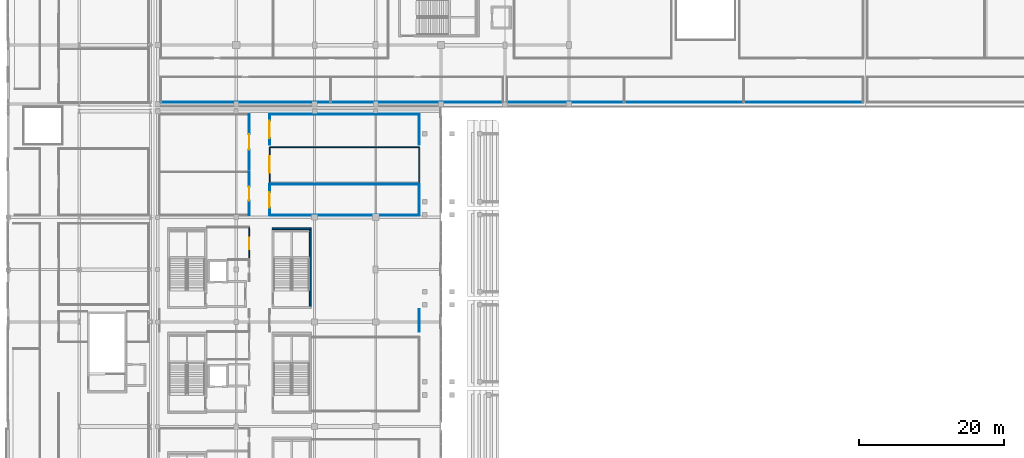
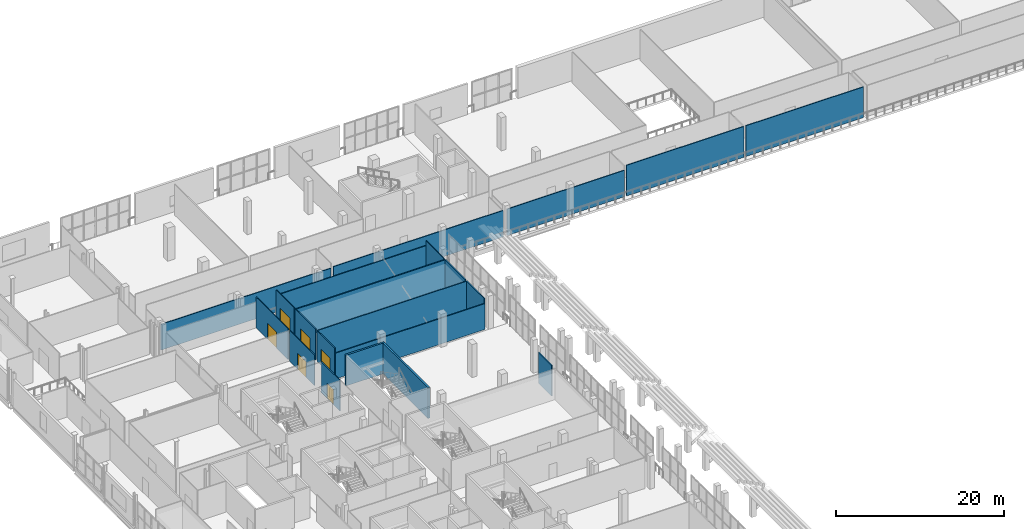
# One storey, part 95 of 142: 21 walls, 6 doors, 6 openings.
"""IFC4 building model written with IfcOpenShell, lengths in metres."""

from ifc_helpers import new_model, si_unit, direction, frame, frame_2d, origin, place, context, subcontext, project, spatial, rectangle, extrude, material, layer, layer_set, type_object, element, fill, save


model = new_model("IFC4")

# Units and contexts
model_context = context("Model", 3, precision=1e-05, world=origin(), true_north=direction((0.0, 1.0)))
body_context = subcontext(model_context, "Body", "Model", "MODEL_VIEW")
ifc_project = project(units=[si_unit("LENGTHUNIT", "METRE"), si_unit("AREAUNIT", "SQUARE_METRE"), si_unit("VOLUMEUNIT", "CUBIC_METRE"), si_unit("PLANEANGLEUNIT", "RADIAN"), si_unit("MASSUNIT", "GRAM", prefix="KILO")], contexts=[model_context])

# Site, building, storey
site_placement = place(None, origin())
site = spatial("IfcSite", under=ifc_project, at=site_placement, CompositionType="ELEMENT")
building_placement = place(site_placement, origin())
building = spatial("IfcBuilding", under=site, at=building_placement, Name="Koshinbarg Plaza Stadium", CompositionType="ELEMENT")
storey_placement = place(building_placement, frame((0.0, 0.0, 10.199951171875)))
storey = spatial("IfcBuildingStorey", under=building, at=storey_placement, Name="L02", CompositionType="ELEMENT", Elevation=10.199951171875)

# Walls
ifc_material_1 = material(Name="Concrete C40/50", Category="concrete")
ifc_layer_1 = layer(ifc_material_1, 0.25)
ifc_layer_set_1 = layer_set([ifc_layer_1], Name="Concrete C40/50")
wall_type_1 = type_object("IfcWallType", Name="WL-CORE-250", PredefinedType="SHEAR", material=ifc_layer_set_1)
wall_1_placement = place(storey_placement, frame((45.719970703125, 110.324951171875, 0.0), z_axis=(0.0, 0.0, 1.0), x_axis=(-1.0, 0.0, 0.0)))
element("IfcWall", 1, at=wall_1_placement, inside=storey, type_object=wall_type_1, Name="L02 vomitory stair shear wall VX06-far IWL-L02-0443", PredefinedType="SHEAR", context=body_context, shape_type="SweptSolid", body=[
    extrude(rectangle(XDim=5.369873046875, YDim=0.25, at=frame_2d((2.68505859375, 0.0))), origin(), (0.0, 0.0, 1.0), 4.47998046875),
])
wall_2_placement = place(storey_placement, frame((45.594970703125, 99.47509765625, 0.0), z_axis=(0.0, 0.0, 1.0), x_axis=(0.0, 1.0, 0.0)))
element("IfcWall", 2, at=wall_2_placement, inside=storey, type_object=wall_type_1, Name="L02 vomitory stair shear wall VX06-right IWL-L02-0445", PredefinedType="SHEAR", context=body_context, shape_type="SweptSolid", body=[
    extrude(rectangle(XDim=10.849853515625, YDim=0.25, at=frame_2d((5.4248046875, 0.0))), origin(), (0.0, 0.0, 1.0), 4.47998046875),
])

# Wall, opening, door
ifc_material_2 = material(Name="Gypsum board metal-stud acoustic partition")
ifc_layer_2 = layer(ifc_material_2, 0.1201171875)
ifc_layer_set_2 = layer_set([ifc_layer_2], Name="Gypsum board metal-stud acoustic partition")
wall_type_2 = type_object("IfcWallType", Name="WL-PART-120", PredefinedType="PARTITIONING", material=ifc_layer_set_2)
wall_3_placement = place(storey_placement, frame((37.199951171875, 106.080078125, 0.0), z_axis=(0.0, 0.0, 1.0), x_axis=(0.0, 1.0, 0.0)))
wall_3 = element("IfcWall", 3, at=wall_3_placement, inside=storey, type_object=wall_type_2, Name="L02 interior partition L02-76-east IWL-L02-1667", PredefinedType="PARTITIONING", context=body_context, shape_type="SweptSolid", body=[
    extrude(rectangle(XDim=4.449951171875, YDim=0.1201171875, at=frame_2d((2.22509765625, 0.0))), origin(), (0.0, 0.0, 1.0), 4.47998046875),
])
opening_1_placement = place(wall_3_placement, frame((1.449951171875, 0.0, 0.0)))
opening_1 = element("IfcOpeningElement", 4, at=opening_1_placement, cuts=wall_3, Name="Opening D-0563", PredefinedType="OPENING", context=body_context, shape_type="SweptSolid", body=[
    extrude(rectangle(XDim=1.550048828125, YDim=2.199951171875, at=frame_2d((0.77490234375, 1.10009765625))), frame((0.0, 0.070068359375, 0.0), z_axis=(0.0, -1.0, 0.0), x_axis=(1.0, 0.0, 0.0)), (0.0, 0.0, 1.0), 0.14013671875),
])
ifc_material_3 = material(Name="Toughened laminated glass in aluminium frame", Category="aluminium")
door_type_1 = type_object("IfcDoorType", Name="DR-INT-1550x2200", OperationType="NOTDEFINED", PredefinedType="DOOR", material=ifc_material_3)
door_1_placement = place(opening_1_placement, origin())
door_1 = element("IfcDoor", 5, at=door_1_placement, inside=storey, type_object=door_type_1, Name="L02 West Club Concourse door D-0563", OperationType="DOUBLE_DOOR_SINGLE_SWING", OverallHeight=2.199951171875, OverallWidth=1.550048828125, PredefinedType="DOOR", context=body_context, shape_type="SweptSolid", body=[
    extrude(rectangle(XDim=1.550048828125, YDim=2.199951171875, at=frame_2d((0.77490234375, 1.10009765625))), frame((0.0, 0.02490234375, 0.0), z_axis=(0.0, -1.0, 0.0), x_axis=(1.0, 0.0, 0.0)), (0.0, 0.0, 1.0), 0.050048828125),
])
fill(opening_1, door_1)

# Wall
wall_4_placement = place(storey_placement, frame((60.60009765625, 96.1298828125, 0.0), z_axis=(0.0, 0.0, 1.0), x_axis=(0.0, 1.0, 0.0)))
element("IfcWall", 6, at=wall_4_placement, inside=storey, type_object=wall_type_2, Name="L02 interior partition L02-79-east IWL-L02-1674", PredefinedType="PARTITIONING", context=body_context, shape_type="SweptSolid", body=[
    extrude(rectangle(XDim=3.14013671875, YDim=0.1201171875, at=frame_2d((1.570068359375, 0.0))), origin(), (0.0, 0.0, 1.0), 4.47998046875),
])

# Wall, opening, door
wall_5_placement = place(storey_placement, frame((37.199951171875, 112.169921875, 0.0), z_axis=(0.0, 0.0, 1.0), x_axis=(0.0, 1.0, 0.0)))
wall_5 = element("IfcWall", 7, at=wall_5_placement, inside=storey, type_object=wall_type_2, Name="L02 interior partition L02-80-east IWL-L02-1677", PredefinedType="PARTITIONING", context=body_context, shape_type="SweptSolid", body=[
    extrude(rectangle(XDim=5.96337890625, YDim=0.1201171875, at=frame_2d((2.981689453125, 0.0))), origin(), (0.0, 0.0, 1.0), 4.47998046875),
])
opening_2_placement = place(wall_5_placement, frame((2.001708984375, 0.0, 0.0)))
opening_2 = element("IfcOpeningElement", 8, at=opening_2_placement, cuts=wall_5, Name="Opening D-0567", PredefinedType="OPENING", context=body_context, shape_type="SweptSolid", body=[
    extrude(rectangle(XDim=1.9599609375, YDim=2.300048828125, at=frame_2d((0.97998046875, 1.14990234375))), frame((0.0, 0.070068359375, 0.0), z_axis=(0.0, -1.0, 0.0), x_axis=(1.0, 0.0, 0.0)), (0.0, 0.0, 1.0), 0.14013671875),
])
ifc_material_4 = material(Name="Bronze-anodised aluminium glazed double door", Category="aluminium")
door_type_2 = type_object("IfcDoorType", Name="DR-INT-1960x2300", OperationType="NOTDEFINED", PredefinedType="DOOR", material=ifc_material_4)
door_2_placement = place(opening_2_placement, origin())
door_2 = element("IfcDoor", 9, at=door_2_placement, inside=storey, type_object=door_type_2, Name="L02 West Club Concourse door D-0567", OperationType="DOUBLE_DOOR_SINGLE_SWING", OverallHeight=2.300048828125, OverallWidth=1.9599609375, PredefinedType="DOOR", context=body_context, shape_type="SweptSolid", body=[
    extrude(rectangle(XDim=1.9599609375, YDim=2.300048828125, at=frame_2d((0.97998046875, 1.14990234375))), frame((0.0, 0.02490234375, 0.0), z_axis=(0.0, -1.0, 0.0), x_axis=(1.0, 0.0, 0.0)), (0.0, 0.0, 1.0), 0.050048828125),
])
fill(opening_2, door_2)

wall_6_placement = place(storey_placement, frame((37.199951171875, 118.433349609375, 0.0), z_axis=(0.0, 0.0, 1.0), x_axis=(0.0, 1.0, 0.0)))
wall_6 = element("IfcWall", 10, at=wall_6_placement, inside=storey, type_object=wall_type_2, Name="L02 interior partition L02-81-east IWL-L02-1680", PredefinedType="PARTITIONING", context=body_context, shape_type="SweptSolid", body=[
    extrude(rectangle(XDim=7.671630859375, YDim=0.1201171875, at=frame_2d((3.8359375, 0.0))), origin(), (0.0, 0.0, 1.0), 4.47998046875),
])
opening_3_placement = place(wall_6_placement, frame((2.7958984375, 0.0, 0.0)))
opening_3 = element("IfcOpeningElement", 11, at=opening_3_placement, cuts=wall_6, Name="Opening D-0568", PredefinedType="OPENING", context=body_context, shape_type="SweptSolid", body=[
    extrude(rectangle(XDim=2.080078125, YDim=2.35009765625, at=frame_2d((1.0400390625, 1.175048828125))), frame((0.0, 0.070068359375, 0.0), z_axis=(0.0, -1.0, 0.0), x_axis=(1.0, 0.0, 0.0)), (0.0, 0.0, 1.0), 0.14013671875),
])
ifc_material_5 = material(Name="Laminated safety glass aluminium vestibule door", Category="aluminium")
door_type_3 = type_object("IfcDoorType", Name="DR-INT-2080x2350", OperationType="NOTDEFINED", PredefinedType="DOOR", material=ifc_material_5)
door_3_placement = place(opening_3_placement, origin())
door_3 = element("IfcDoor", 12, at=door_3_placement, inside=storey, type_object=door_type_3, Name="L02 Hospitality Catering Kitchen door D-0568", OperationType="DOUBLE_DOOR_SINGLE_SWING", OverallHeight=2.35009765625, OverallWidth=2.080078125, PredefinedType="DOOR", context=body_context, shape_type="SweptSolid", body=[
    extrude(rectangle(XDim=2.080078125, YDim=2.35009765625, at=frame_2d((1.0400390625, 1.175048828125))), frame((0.0, 0.02490234375, 0.0), z_axis=(0.0, -1.0, 0.0), x_axis=(1.0, 0.0, 0.0)), (0.0, 0.0, 1.0), 0.050048828125),
])
fill(opening_3, door_3)

# Walls
wall_7_placement = place(storey_placement, frame((40.0, 112.169921875, 0.0), z_axis=(0.0, 0.0, 1.0), x_axis=(1.0, 0.0, 0.0)))
element("IfcWall", 13, at=wall_7_placement, inside=storey, type_object=wall_type_2, Name="L02 interior partition L02-82-south IWL-L02-1683", PredefinedType="PARTITIONING", context=body_context, shape_type="SweptSolid", body=[
    extrude(rectangle(XDim=20.60009765625, YDim=0.1201171875, at=frame_2d((10.300048828125, 0.0))), origin(), (0.0, 0.0, 1.0), 3.760009765625),
])
wall_8_placement = place(storey_placement, frame((60.60009765625, 112.169921875, 0.0), z_axis=(0.0, 0.0, 1.0), x_axis=(0.0, 1.0, 0.0)))
element("IfcWall", 14, at=wall_8_placement, inside=storey, type_object=wall_type_2, Name="L02 interior partition L02-82-east IWL-L02-1684", PredefinedType="PARTITIONING", context=body_context, shape_type="SweptSolid", body=[
    extrude(rectangle(XDim=4.25537109375, YDim=0.1201171875, at=frame_2d((2.127685546875, 0.0))), origin(), (0.0, 0.0, 1.0), 4.47998046875),
])
wall_9_placement = place(storey_placement, frame((60.60009765625, 116.42529296875, 0.0), z_axis=(0.0, 0.0, 1.0), x_axis=(-1.0, 0.0, 0.0)))
element("IfcWall", 15, at=wall_9_placement, inside=storey, type_object=wall_type_2, Name="L02 interior partition L02-82-north IWL-L02-1685", PredefinedType="PARTITIONING", context=body_context, shape_type="SweptSolid", body=[
    extrude(rectangle(XDim=20.60009765625, YDim=0.1201171875, at=frame_2d((10.300048828125, 0.0))), origin(), (0.0, 0.0, 1.0), 4.47998046875),
])

# Wall, opening, door
wall_10_placement = place(storey_placement, frame((40.0, 116.42529296875, 0.0), z_axis=(0.0, 0.0, 1.0), x_axis=(0.0, -1.0, 0.0)))
wall_10 = element("IfcWall", 16, at=wall_10_placement, inside=storey, type_object=wall_type_2, Name="L02 interior partition L02-82-west IWL-L02-1686", PredefinedType="PARTITIONING", context=body_context, shape_type="SweptSolid", body=[
    extrude(rectangle(XDim=4.25537109375, YDim=0.1201171875, at=frame_2d((2.127685546875, 0.0))), origin(), (0.0, 0.0, 1.0), 4.47998046875),
])
opening_4_placement = place(wall_10_placement, frame((1.047607421875, 0.0, 0.0)))
opening_4 = element("IfcOpeningElement", 17, at=opening_4_placement, cuts=wall_10, Name="Opening D-0569", PredefinedType="OPENING", context=body_context, shape_type="SweptSolid", body=[
    extrude(rectangle(XDim=2.159912109375, YDim=2.35009765625, at=frame_2d((1.080078125, 1.175048828125))), frame((0.0, 0.070068359375, 0.0), z_axis=(0.0, -1.0, 0.0), x_axis=(1.0, 0.0, 0.0)), (0.0, 0.0, 1.0), 0.14013671875),
])
ifc_material_6 = material(Name="Galvanized painted steel double leaf door", Category="steel")
door_type_4 = type_object("IfcDoorType", Name="DR-INT-2160x2350", OperationType="NOTDEFINED", PredefinedType="DOOR", material=ifc_material_6)
door_4_placement = place(opening_4_placement, origin())
door_4 = element("IfcDoor", 18, at=door_4_placement, inside=storey, type_object=door_type_4, Name="L02 Hospitality Catering Kitchen door D-0569", OperationType="DOUBLE_DOOR_SINGLE_SWING", OverallHeight=2.35009765625, OverallWidth=2.159912109375, PredefinedType="DOOR", context=body_context, shape_type="SweptSolid", body=[
    extrude(rectangle(XDim=2.159912109375, YDim=2.35009765625, at=frame_2d((1.080078125, 1.175048828125))), frame((0.0, 0.02490234375, 0.0), z_axis=(0.0, -1.0, 0.0), x_axis=(1.0, 0.0, 0.0)), (0.0, 0.0, 1.0), 0.050048828125),
])
fill(opening_4, door_4)

# Walls
wall_11_placement = place(storey_placement, frame((60.60009765625, 121.849853515625, 0.0), z_axis=(0.0, 0.0, 1.0), x_axis=(0.0, 1.0, 0.0)))
element("IfcWall", 19, at=wall_11_placement, inside=storey, type_object=wall_type_2, Name="L02 interior partition L02-84-east IWL-L02-1690", PredefinedType="PARTITIONING", context=body_context, shape_type="SweptSolid", body=[
    extrude(rectangle(XDim=4.255126953125, YDim=0.1201171875, at=frame_2d((2.12744140625, 0.0))), origin(), (0.0, 0.0, 1.0), 4.47998046875),
])
wall_12_placement = place(storey_placement, frame((60.60009765625, 126.10498046875, 0.0), z_axis=(0.0, 0.0, 1.0), x_axis=(-1.0, 0.0, 0.0)))
element("IfcWall", 20, at=wall_12_placement, inside=storey, type_object=wall_type_2, Name="L02 interior partition L02-84-north IWL-L02-1691", PredefinedType="PARTITIONING", context=body_context, shape_type="SweptSolid", body=[
    extrude(rectangle(XDim=20.60009765625, YDim=0.1201171875, at=frame_2d((10.300048828125, 0.0))), origin(), (0.0, 0.0, 1.0), 3.760009765625),
])

# Wall, opening, door
wall_13_placement = place(storey_placement, frame((40.0, 126.10498046875, 0.0), z_axis=(0.0, 0.0, 1.0), x_axis=(0.0, -1.0, 0.0)))
wall_13 = element("IfcWall", 21, at=wall_13_placement, inside=storey, type_object=wall_type_2, Name="L02 interior partition L02-84-west IWL-L02-1692", PredefinedType="PARTITIONING", context=body_context, shape_type="SweptSolid", body=[
    extrude(rectangle(XDim=4.255126953125, YDim=0.1201171875, at=frame_2d((2.12744140625, 0.0))), origin(), (0.0, 0.0, 1.0), 4.47998046875),
])
opening_5_placement = place(wall_13_placement, frame((0.947509765625, 0.0, 0.0)))
opening_5 = element("IfcOpeningElement", 22, at=opening_5_placement, cuts=wall_13, Name="Opening D-0571", PredefinedType="OPENING", context=body_context, shape_type="SweptSolid", body=[
    extrude(rectangle(XDim=2.360107421875, YDim=2.39990234375, at=frame_2d((1.18017578125, 1.199951171875))), frame((0.0, 0.070068359375, 0.0), z_axis=(0.0, -1.0, 0.0), x_axis=(1.0, 0.0, 0.0)), (0.0, 0.0, 1.0), 0.14013671875),
])
ifc_material_7 = material(Name="Powder-coated steel and tempered glass double door", Category="steel")
door_type_5 = type_object("IfcDoorType", Name="DR-INT-2360x2400", OperationType="NOTDEFINED", PredefinedType="DOOR", material=ifc_material_7)
door_5_placement = place(opening_5_placement, origin())
door_5 = element("IfcDoor", 23, at=door_5_placement, inside=storey, type_object=door_type_5, Name="L02 Presidential Club Lounge door D-0571", OperationType="DOUBLE_DOOR_SINGLE_SWING", OverallHeight=2.39990234375, OverallWidth=2.360107421875, PredefinedType="DOOR", context=body_context, shape_type="SweptSolid", body=[
    extrude(rectangle(XDim=2.360107421875, YDim=2.39990234375, at=frame_2d((1.18017578125, 1.199951171875))), frame((0.0, 0.02490234375, 0.0), z_axis=(0.0, -1.0, 0.0), x_axis=(1.0, 0.0, 0.0)), (0.0, 0.0, 1.0), 0.050048828125),
])
fill(opening_5, door_5)

# Walls
wall_14_placement = place(storey_placement, frame((24.9951171875, 127.7451171875, 0.0), z_axis=(0.0, 0.0, 1.0), x_axis=(1.0, 0.0, 0.0)))
element("IfcWall", 24, at=wall_14_placement, inside=storey, type_object=wall_type_2, Name="L02 interior partition L02-103-south IWL-L02-1740", PredefinedType="PARTITIONING", context=body_context, shape_type="SweptSolid", body=[
    extrude(rectangle(XDim=23.41748046875, YDim=0.1201171875, at=frame_2d((11.708740234375, 0.0))), origin(), (0.0, 0.0, 1.0), 3.760009765625),
])
wall_15_placement = place(storey_placement, frame((48.71240234375, 127.7451171875, 0.0), z_axis=(0.0, 0.0, 1.0), x_axis=(1.0, 0.0, 0.0)))
element("IfcWall", 25, at=wall_15_placement, inside=storey, type_object=wall_type_2, Name="L02 interior partition L02-104-south IWL-L02-1744", PredefinedType="PARTITIONING", context=body_context, shape_type="SweptSolid", body=[
    extrude(rectangle(XDim=23.41748046875, YDim=0.1201171875, at=frame_2d((11.708740234375, 0.0))), origin(), (0.0, 0.0, 1.0), 3.860107421875),
])
wall_16_placement = place(storey_placement, frame((72.669921875, 127.7451171875, 0.0), z_axis=(0.0, 0.0, 1.0), x_axis=(1.0, 0.0, 0.0)))
element("IfcWall", 26, at=wall_16_placement, inside=storey, type_object=wall_type_2, Name="L02 interior partition L02-107-south IWL-L02-1752", PredefinedType="PARTITIONING", context=body_context, shape_type="SweptSolid", body=[
    extrude(rectangle(XDim=16.1533203125, YDim=0.1201171875, at=frame_2d((8.07666015625, 0.0))), origin(), (0.0, 0.0, 1.0), 3.860107421875),
])
for number, where, z_axis, x_axis, name in (
    (27, (89.123291015625, 127.7451171875, 0.0), (0.0, 0.0, 1.0), (1.0, 0.0, 0.0), "L02 interior partition L02-108-south IWL-L02-1756"),
    (28, (105.57666015625, 127.7451171875, 0.0), (0.0, 0.0, 1.0), (1.0, 0.0, 0.0), "L02 interior partition L02-109-south IWL-L02-1759"),
):
    element("IfcWall", number, at=place(storey_placement, frame(where, z_axis=z_axis, x_axis=x_axis)), inside=storey, type_object=wall_type_2, Name=name, PredefinedType="PARTITIONING", context=body_context, shape_type="SweptSolid", body=[
        extrude(rectangle(XDim=16.1533203125, YDim=0.1201171875, at=frame_2d((8.07666015625, 0.0))), origin(), (0.0, 0.0, 1.0), 4.47998046875),
    ])
ifc_material_8 = material(Name="Double-layer gypsum acoustic suite partition")
ifc_layer_3 = layer(ifc_material_8, 0.14990234375)
ifc_layer_set_3 = layer_set([ifc_layer_3], Name="Double-layer gypsum acoustic suite partition")
wall_type_3 = type_object("IfcWallType", Name="WL-PART-150", PredefinedType="PARTITIONING", material=ifc_layer_set_3)
wall_17_placement = place(storey_placement, frame((60.60009765625, 116.72509765625, 0.0), z_axis=(0.0, 0.0, 1.0), x_axis=(0.0, 1.0, 0.0)))
element("IfcWall", 29, at=wall_17_placement, inside=storey, type_object=wall_type_3, Name="L02 interior partition L02-83-east IWL-L02-1687", PredefinedType="PARTITIONING", context=body_context, shape_type="SweptSolid", body=[
    extrude(rectangle(XDim=4.82470703125, YDim=0.14990234375, at=frame_2d((2.412353515625, 0.0))), origin(), (0.0, 0.0, 1.0), 4.47998046875),
])
wall_18_placement = place(storey_placement, frame((60.60009765625, 121.5498046875, 0.0), z_axis=(0.0, 0.0, 1.0), x_axis=(-1.0, 0.0, 0.0)))
element("IfcWall", 30, at=wall_18_placement, inside=storey, type_object=wall_type_3, Name="L02 interior partition L02-83-north IWL-L02-1688", PredefinedType="PARTITIONING", context=body_context, shape_type="SweptSolid", body=[
    extrude(rectangle(XDim=20.60009765625, YDim=0.14990234375, at=frame_2d((10.300048828125, 0.0))), origin(), (0.0, 0.0, 1.0), 4.47998046875),
])

# Wall, opening, door
wall_19_placement = place(storey_placement, frame((40.0, 121.5498046875, 0.0), z_axis=(0.0, 0.0, 1.0), x_axis=(0.0, -1.0, 0.0)))
wall_19 = element("IfcWall", 31, at=wall_19_placement, inside=storey, type_object=wall_type_3, Name="L02 interior partition L02-83-west IWL-L02-1689", PredefinedType="PARTITIONING", context=body_context, shape_type="SweptSolid", body=[
    extrude(rectangle(XDim=4.82470703125, YDim=0.14990234375, at=frame_2d((2.412353515625, 0.0))), origin(), (0.0, 0.0, 1.0), 4.47998046875),
])
opening_6_placement = place(wall_19_placement, frame((1.272216796875, 0.0, 0.0)))
opening_6 = element("IfcOpeningElement", 32, at=opening_6_placement, cuts=wall_19, Name="Opening D-0570", PredefinedType="OPENING", context=body_context, shape_type="SweptSolid", body=[
    extrude(rectangle(XDim=2.280029296875, YDim=2.39990234375, at=frame_2d((1.14013671875, 1.199951171875))), frame((0.0, 0.0849609375, 0.0), z_axis=(0.0, -1.0, 0.0), x_axis=(1.0, 0.0, 0.0)), (0.0, 0.0, 1.0), 0.169921875),
])
ifc_material_9 = material(Name="Anodised aluminium and laminated glass portal door", Category="aluminium")
door_type_6 = type_object("IfcDoorType", Name="DR-INT-2280x2400", OperationType="NOTDEFINED", PredefinedType="DOOR", material=ifc_material_9)
door_6_placement = place(opening_6_placement, origin())
door_6 = element("IfcDoor", 33, at=door_6_placement, inside=storey, type_object=door_type_6, Name="L02 VIP Hospitality Suite door D-0570", OperationType="DOUBLE_DOOR_SINGLE_SWING", OverallHeight=2.39990234375, OverallWidth=2.280029296875, PredefinedType="DOOR", context=body_context, shape_type="SweptSolid", body=[
    extrude(rectangle(XDim=2.280029296875, YDim=2.39990234375, at=frame_2d((1.14013671875, 1.199951171875))), frame((0.0, 0.02490234375, 0.0), z_axis=(0.0, -1.0, 0.0), x_axis=(1.0, 0.0, 0.0)), (0.0, 0.0, 1.0), 0.050048828125),
])
fill(opening_6, door_6)

save(model, "model.ifc")
